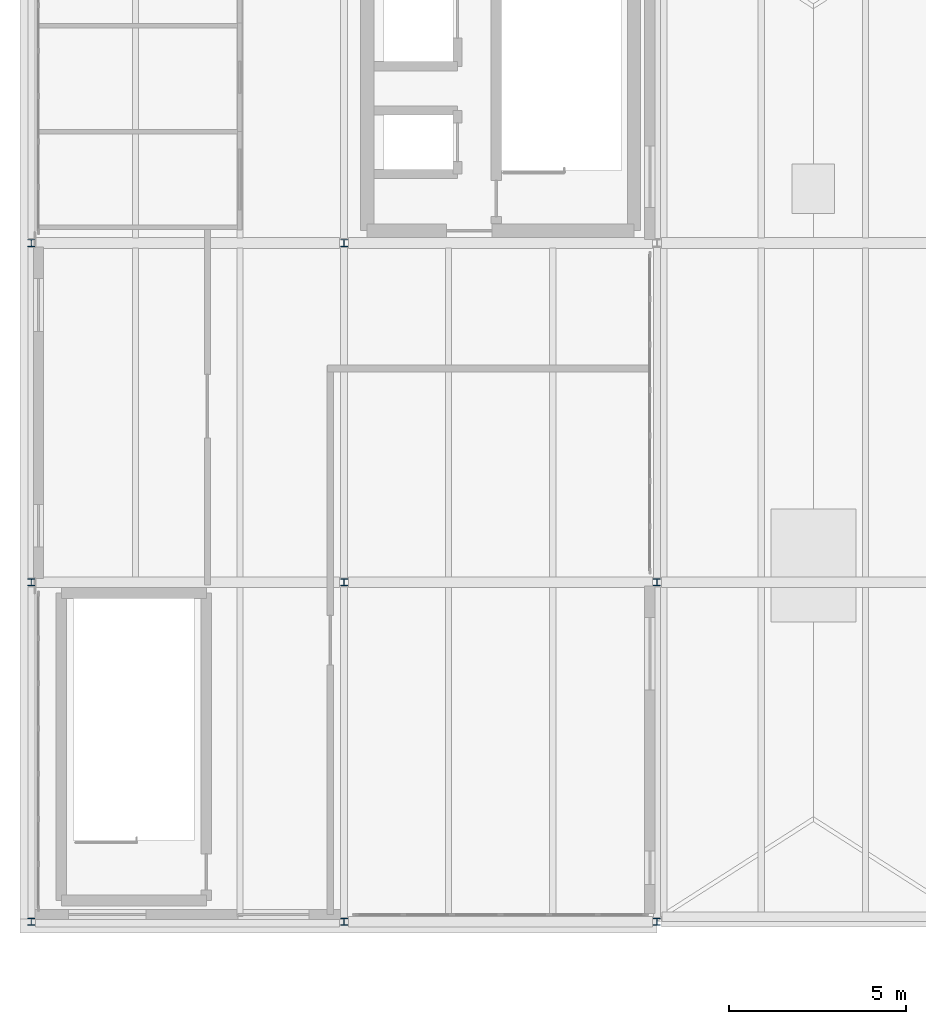
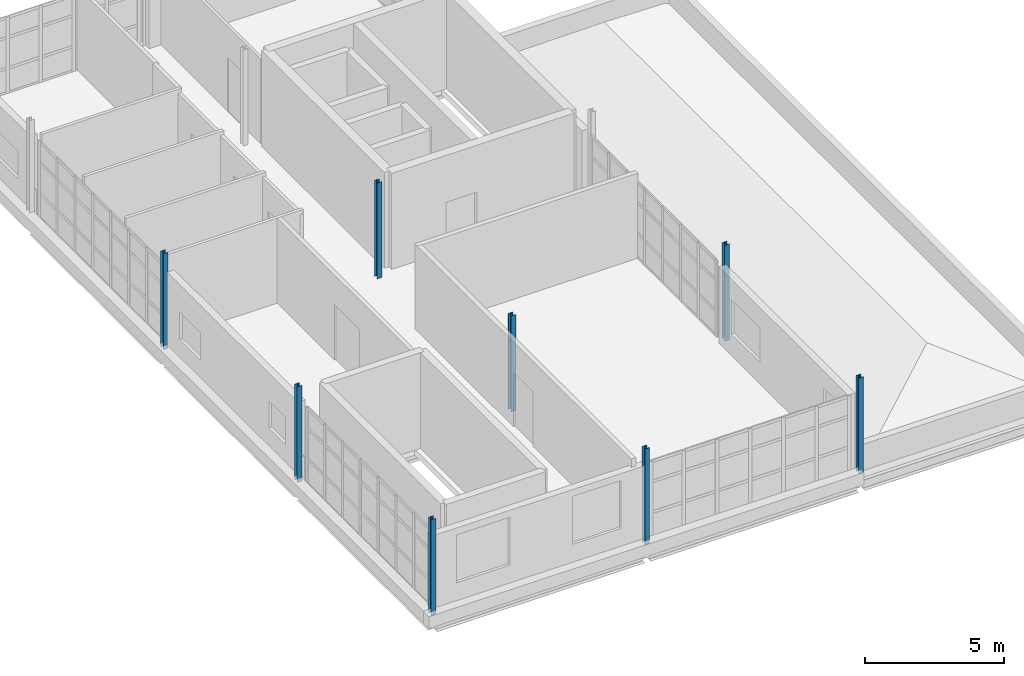
# One storey, part 1 of 16: 8 columns.
"""IFC4 building model written with IfcOpenShell, lengths in metres."""

from ifc_helpers import new_model, si_unit, direction, frame, origin, origin_2d, place, context, subcontext, project, spatial, i_section, extrude, material, material_profile, profile_set, type_object, element, save


model = new_model("IFC4")

# Units and contexts
model_context = context("Model", 3, precision=1e-05, world=origin(), true_north=direction((0.0, 1.0)))
body_context = subcontext(model_context, "Body", "Model", "MODEL_VIEW")
ifc_project = project(units=[si_unit("LENGTHUNIT", "METRE"), si_unit("AREAUNIT", "SQUARE_METRE"), si_unit("VOLUMEUNIT", "CUBIC_METRE"), si_unit("PLANEANGLEUNIT", "RADIAN"), si_unit("MASSUNIT", "GRAM", prefix="KILO")], contexts=[model_context])

# Site, building, storey
site_placement = place(None, origin())
site = spatial("IfcSite", under=ifc_project, at=site_placement, CompositionType="ELEMENT")
building_placement = place(site_placement, origin())
building = spatial("IfcBuilding", under=site, at=building_placement, Name="Yeouljin Market Hall", CompositionType="ELEMENT")
storey_placement = place(building_placement, frame((0.0, 0.0, 19.199951171875)))
storey = spatial("IfcBuildingStorey", under=building, at=storey_placement, Name="L04", CompositionType="ELEMENT", Elevation=19.199951171875)

# Columns
ifc_material = material(Name="Steel SM355", Category="steel")
ifc_material_profile = material_profile(ifc_material, i_section(OverallWidth=0.199951171875, OverallDepth=0.199951171875, WebThickness=0.008056640625, FlangeThickness=0.011962890625, FilletRadius=0.012939453125, at=origin_2d()), Name="H-200x200x8x12")
ifc_profile_set = profile_set([ifc_material_profile], Name="Steel SM355")
column_type = type_object("IfcColumnType", Name="Col_H-200x200x8x12", PredefinedType="COLUMN", material=ifc_profile_set)
for number, where, z_axis, x_axis, name in (
    (1, (0.0, 0.0, 0.0), (0.0, 0.0, 1.0), (1.0, 0.0, 0.0), "Column G-00-00 (L04)"),
    (2, (0.0, 9.60009765625, 0.0), (0.0, 0.0, 1.0), (1.0, 0.0, 0.0), "Column G-00-01 (L04)"),
    (3, (0.0, 19.199951171875, 0.0), (0.0, 0.0, 1.0), (1.0, 0.0, 0.0), "Column G-00-02 (L04)"),
    (4, (8.85009765625, 0.0, 0.0), (0.0, 0.0, 1.0), (1.0, 0.0, 0.0), "Column G-01-00 (L04)"),
    (5, (8.85009765625, 9.60009765625, 0.0), (0.0, 0.0, 1.0), (1.0, 0.0, 0.0), "Column G-01-01 (L04)"),
    (6, (8.85009765625, 19.199951171875, 0.0), (0.0, 0.0, 1.0), (1.0, 0.0, 0.0), "Column G-01-02 (L04)"),
    (7, (17.699951171875, 0.0, 0.0), (0.0, 0.0, 1.0), (1.0, 0.0, 0.0), "Column G-02-00 (L04)"),
    (8, (17.699951171875, 9.60009765625, 0.0), (0.0, 0.0, 1.0), (1.0, 0.0, 0.0), "Column G-02-01 (L04)"),
):
    element("IfcColumn", number, at=place(storey_placement, frame(where, z_axis=z_axis, x_axis=x_axis)), inside=storey, type_object=column_type, Name=name, PredefinedType="COLUMN", context=body_context, shape_type="SweptSolid", body=[
        extrude(i_section(OverallWidth=0.199951171875, OverallDepth=0.199951171875, WebThickness=0.008056640625, FlangeThickness=0.011962890625, FilletRadius=0.012939453125, at=origin_2d()), origin(), (0.0, 0.0, 1.0), 4.199951171875),
    ])

save(model, "model.ifc")
